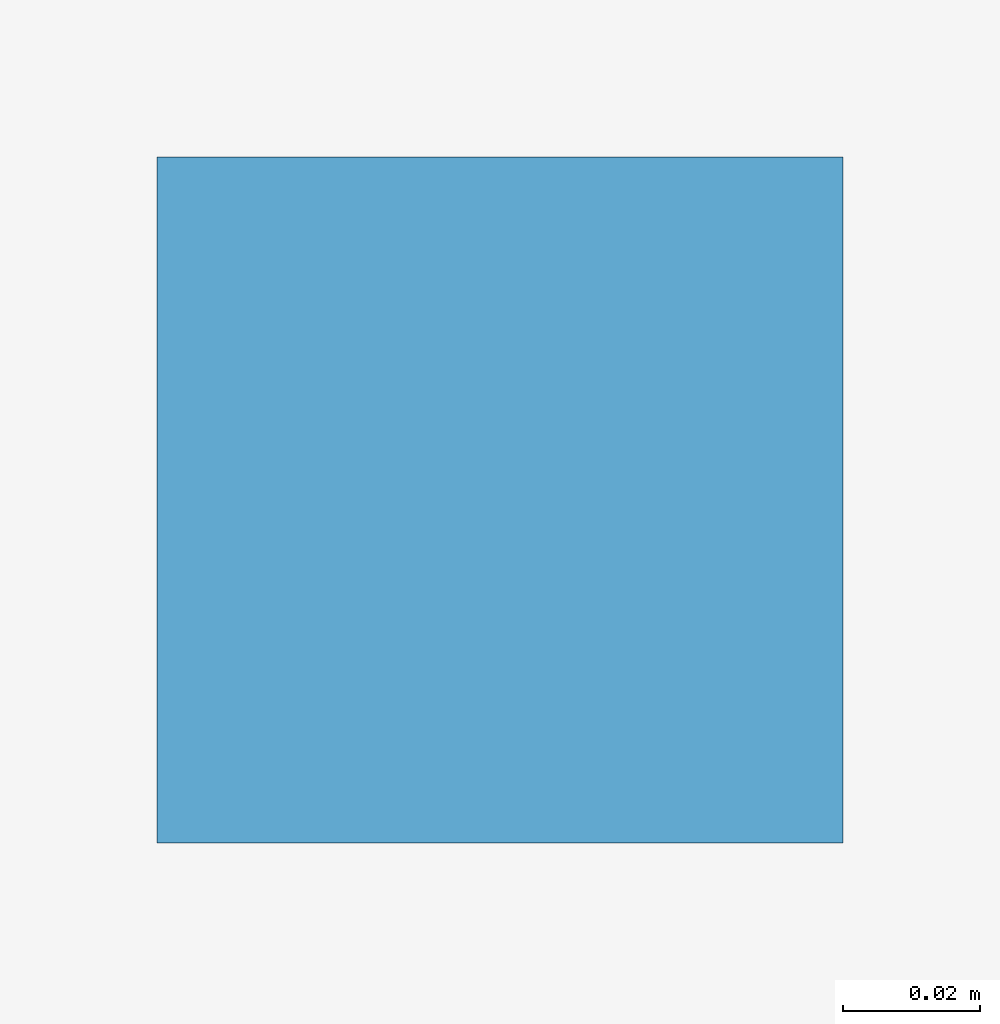
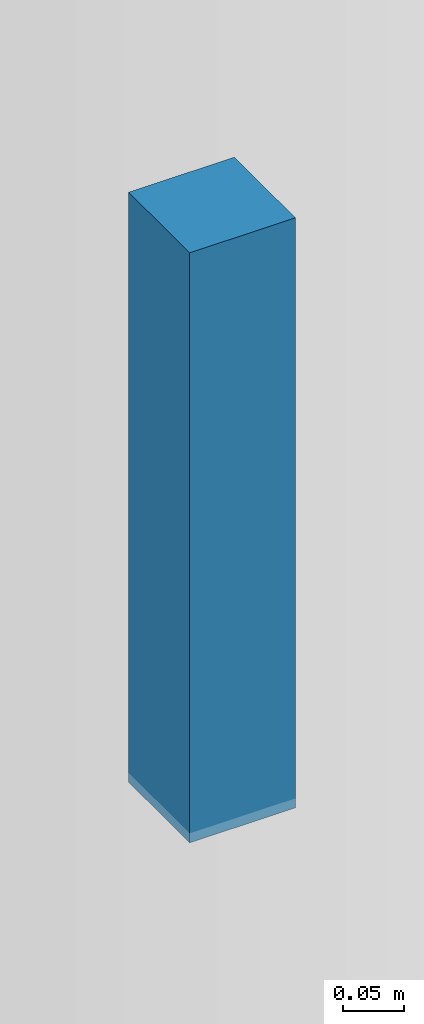
# One storey, part 33 of 46: 1 discrete accessory.
"""IFC4 building model written with IfcOpenShell, lengths in metres."""

from ifc_helpers import new_model, si_unit, direction, frame, origin, origin_2d, place, context, subcontext, project, spatial, rectangle, extrude, material, type_object, element, save


model = new_model("IFC4")

# Units and contexts
model_context = context("Model", 3, precision=1e-05, world=origin(), true_north=direction((0.0, 1.0)))
body_context = subcontext(model_context, "Body", "Model", "MODEL_VIEW")
ifc_project = project(units=[si_unit("LENGTHUNIT", "METRE"), si_unit("AREAUNIT", "SQUARE_METRE"), si_unit("VOLUMEUNIT", "CUBIC_METRE"), si_unit("PLANEANGLEUNIT", "RADIAN"), si_unit("MASSUNIT", "GRAM", prefix="KILO")], contexts=[model_context])

# Site, building, storey
site_placement = place(None, origin())
site = spatial("IfcSite", under=ifc_project, at=site_placement, CompositionType="ELEMENT")
building_placement = place(site_placement, origin())
building = spatial("IfcBuilding", under=site, at=building_placement, Name="Tazoul Stagehouse", CompositionType="ELEMENT")
storey_placement = place(building_placement, frame((0.0, 0.0, -4.800048828125)))
storey = spatial("IfcBuildingStorey", under=building, at=storey_placement, Name="B1", CompositionType="ELEMENT", Elevation=-4.800048828125)

# Discrete accessory
ifc_material = material(Name="Austenitic Stainless Steel EN 1.4401", Category="steel")
discrete_accessory_type = type_object("IfcDiscreteAccessoryType", Name="Interior Acoustic Hanger Bracket", PredefinedType="BRACKET", material=ifc_material)
discrete_accessory_placement = place(storey_placement, frame((76.5, 25.3525390625, 3.97998046875), z_axis=(0.0, 0.0, 1.0), x_axis=(1.0, 0.0, 0.0)))
element("IfcDiscreteAccessory", 1, at=discrete_accessory_placement, inside=storey, type_object=discrete_accessory_type, Name="B1 B1 Sunken Metro Concourse Circulation Ceiling Suspension Bracket", PredefinedType="BRACKET", context=body_context, shape_type="SweptSolid", body=[
    extrude(rectangle(XDim=0.10009765625, YDim=0.10009765625, at=origin_2d()), origin(), (0.0, 0.0, 1.0), 0.590087890625),
])

save(model, "model.ifc")
